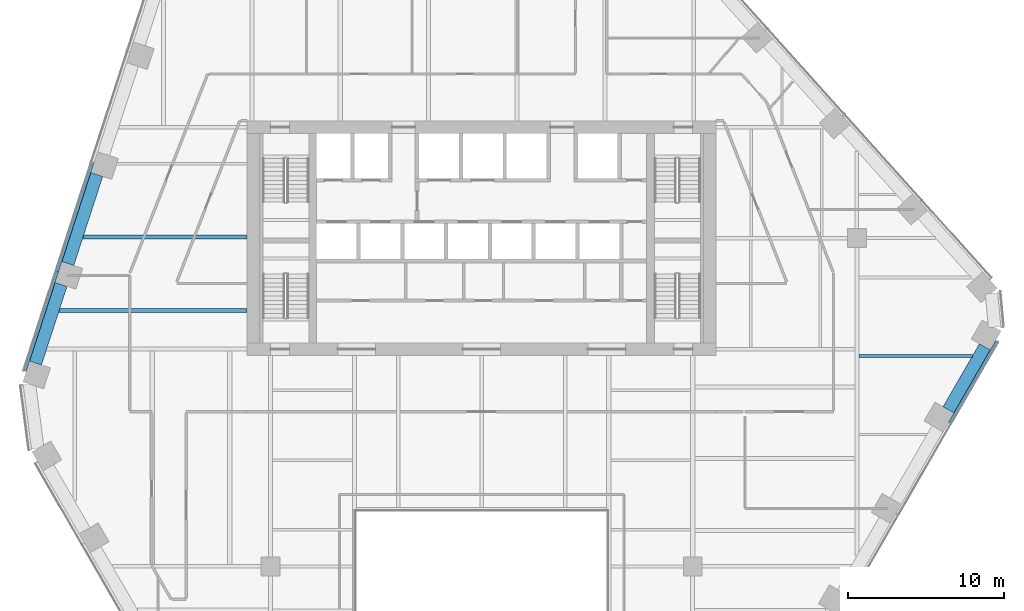
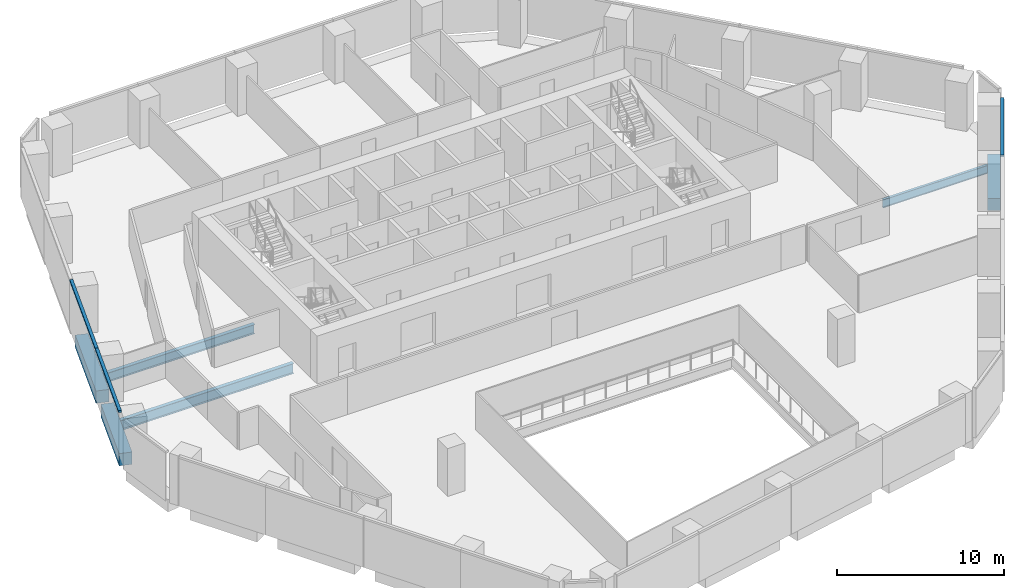
# One storey, part 6 of 16: 6 beams, 3 members, 2 elements without a shape of their own.
"""IFC4 building model written with IfcOpenShell, lengths in metres."""

from ifc_helpers import new_model, si_unit, direction, frame, origin, origin_2d, place, context, subcontext, project, spatial, rectangle, i_section, extrude, material, layer, layer_set, material_profile, profile_set, type_object, element, aggregate, save


model = new_model("IFC4")

# Units and contexts
model_context = context("Model", 3, precision=1e-05, world=origin(), true_north=direction((0.0, 1.0)))
body_context = subcontext(model_context, "Body", "Model", "MODEL_VIEW")
ifc_project = project(units=[si_unit("LENGTHUNIT", "METRE"), si_unit("AREAUNIT", "SQUARE_METRE"), si_unit("VOLUMEUNIT", "CUBIC_METRE"), si_unit("PLANEANGLEUNIT", "RADIAN"), si_unit("MASSUNIT", "GRAM", prefix="KILO")], contexts=[model_context])

# Site, building, storey
site_placement = place(None, origin())
site = spatial("IfcSite", under=ifc_project, at=site_placement, CompositionType="ELEMENT")
building_placement = place(site_placement, origin())
building = spatial("IfcBuilding", under=site, at=building_placement, Name="Isthmus Gate Tower", CompositionType="ELEMENT")
storey_placement = place(building_placement, frame((0.0, 0.0, 133.449951171875)))
storey = spatial("IfcBuildingStorey", under=building, at=storey_placement, Name="L32", CompositionType="ELEMENT", Elevation=133.449951171875)

# Curtain wall, members
ifc_material_1 = material(Name="Aluminium, pale champagne anodised", Category="aluminium")
ifc_layer = layer(ifc_material_1, 0.199951171875)
ifc_layer_set = layer_set([ifc_layer], Name="CW-1 UNITISED CURTAIN WALL 200 DEEP")
curtain_wall_type = type_object("IfcCurtainWallType", Name="CW-1 UNITISED CURTAIN WALL 200 DEEP", PredefinedType="NOTDEFINED", material=ifc_layer_set)
curtain_wall_1_placement = place(storey_placement, origin())
curtain_wall_1 = element("IfcCurtainWall", 1, at=curtain_wall_1_placement, inside=storey, type_object=curtain_wall_type, Name="CW-1 NW L32", PredefinedType="NOTDEFINED")
ifc_material_2 = material(Name="Aluminium, pale champagne anodised", Category="aluminium")
ifc_material_profile_1 = material_profile(ifc_material_2, rectangle(XDim=0.199951171875, YDim=0.139892578125, at=origin_2d()), Name="200x140")
ifc_profile_set_1 = profile_set([ifc_material_profile_1], Name="Aluminium, pale champagne anodised")
member_type = type_object("IfcMemberType", Name="CW-1 TRANSOM 200 X 140", PredefinedType="USERDEFINED", material=ifc_profile_set_1)
member_1_placement = place(storey_placement, frame((-24.896240234375, 12.33056640625, 3.580078125), z_axis=(-0.309025074527, -0.951053890857, 0.0), x_axis=(0.951053890857, -0.309025074527, 0.0)))
member_1 = element("IfcMember", 2, at=member_1_placement, type_object=member_type, Name="CW-1 transom", ObjectType="TRANSOM", PredefinedType="USERDEFINED", context=body_context, shape_type="SweptSolid", body=[
    extrude(rectangle(XDim=0.199951171875, YDim=0.139892578125, at=origin_2d()), origin(), (0.0, 0.0, 1.0), 7.330810546875),
])
member_2_placement = place(storey_placement, frame((-27.16162109375, 5.358642578125, 3.580078125), z_axis=(-0.309026665985, -0.951053373744, 0.0), x_axis=(0.951053373744, -0.309026665985, 0.0)))
member_2 = element("IfcMember", 3, at=member_2_placement, type_object=member_type, Name="CW-1 transom", ObjectType="TRANSOM", PredefinedType="USERDEFINED", context=body_context, shape_type="SweptSolid", body=[
    extrude(rectangle(XDim=0.199951171875, YDim=0.139892578125, at=origin_2d()), origin(), (0.0, 0.0, 1.0), 6.690673828125),
])
aggregate(curtain_wall_1, [member_1, member_2])

# Curtain wall, member
curtain_wall_2_placement = place(storey_placement, origin())
curtain_wall_2 = element("IfcCurtainWall", 4, at=curtain_wall_2_placement, inside=storey, type_object=curtain_wall_type, Name="CW-1 SE L32", PredefinedType="NOTDEFINED")
member_3_placement = place(storey_placement, frame((29.941162109375, -4.34033203125, 3.580078125), z_axis=(0.499997231551, 0.866027002143, 0.0), x_axis=(-0.866027002143, 0.499997231551, 0.0)))
member_3 = element("IfcMember", 5, at=member_3_placement, type_object=member_type, Name="CW-1 transom", ObjectType="TRANSOM", PredefinedType="USERDEFINED", context=body_context, shape_type="SweptSolid", body=[
    extrude(rectangle(XDim=0.199951171875, YDim=0.139892578125, at=origin_2d()), origin(), (0.0, 0.0, 1.0), 6.05029296875),
])
aggregate(curtain_wall_2, [member_3])

# Beams
ifc_material_3 = material(Name="Concrete f'c 60 MPa", Category="concrete")
ifc_material_profile_2 = material_profile(ifc_material_3, rectangle(XDim=0.800048828125, YDim=0.89990234375, at=origin_2d()), Name="RC 800X900")
ifc_profile_set_2 = profile_set([ifc_material_profile_2], Name="Concrete f'c 60 MPa")
beam_type_1 = type_object("IfcBeamType", Name="RC SPANDREL 800 X 900", PredefinedType="SPANDREL", material=ifc_profile_set_2)
beam_1_placement = place(storey_placement, frame((32.183349609375, 0.54296875, -0.449951171875), z_axis=(-0.500023913295, -0.866011596997, 0.0), x_axis=(0.866011596997, -0.500023913295, 0.0)))
element("IfcBeam", 6, at=beam_1_placement, inside=storey, type_object=beam_type_1, Name="str-spandrel-L32-06", PredefinedType="SPANDREL", context=body_context, shape_type="SweptSolid", body=[
    extrude(rectangle(XDim=0.800048828125, YDim=0.89990234375, at=origin_2d()), origin(), (0.0, 0.0, 1.0), 4.650146484375),
])
beam_2_placement = place(storey_placement, frame((-28.537353515625, -0.493408203125, -0.449951171875), z_axis=(0.309033901013, 0.951051022829, 0.0), x_axis=(-0.951051022829, 0.309033901013, 0.0)))
element("IfcBeam", 7, at=beam_2_placement, inside=storey, type_object=beam_type_1, Name="str-spandrel-L32-21", PredefinedType="SPANDREL", context=body_context, shape_type="SweptSolid", body=[
    extrude(rectangle(XDim=0.800048828125, YDim=0.89990234375, at=origin_2d()), origin(), (0.0, 0.0, 1.0), 5.290771484375),
])
beam_3_placement = place(storey_placement, frame((-26.4697265625, 5.869873046875, -0.449951171875), z_axis=(0.309029860788, 0.951052335648, 0.0), x_axis=(-0.951052335648, 0.309029860788, 0.0)))
element("IfcBeam", 8, at=beam_3_placement, inside=storey, type_object=beam_type_1, Name="str-spandrel-L32-22", PredefinedType="SPANDREL", context=body_context, shape_type="SweptSolid", body=[
    extrude(rectangle(XDim=0.800048828125, YDim=0.89990234375, at=origin_2d()), origin(), (0.0, 0.0, 1.0), 5.99072265625),
])
ifc_material_4 = material(Name="Structural steel ASTM A992 Gr 50", Category="steel")
ifc_material_profile_3 = material_profile(ifc_material_4, i_section(OverallWidth=0.177734375, OverallDepth=0.60009765625, WebThickness=0.009521484375, FlangeThickness=0.0126953125, at=origin_2d()), Name="W24X55")
ifc_profile_set_3 = profile_set([ifc_material_profile_3], Name="Structural steel ASTM A992 Gr 50")
beam_type_2 = type_object("IfcBeamType", Name="STEEL FLOOR BEAM W24X55", PredefinedType="JOIST", material=ifc_profile_set_3)
beam_4_placement = place(storey_placement, frame((24.13330078125, -0.037353515625, -0.449951171875), z_axis=(1.0, 0.0, 0.0), x_axis=(0.0, 1.0, 0.0)))
element("IfcBeam", 9, at=beam_4_placement, inside=storey, type_object=beam_type_2, Name="str-beam-L32-16-01", PredefinedType="JOIST", context=body_context, shape_type="SweptSolid", body=[
    extrude(i_section(OverallWidth=0.177734375, OverallDepth=0.60009765625, WebThickness=0.009521484375, FlangeThickness=0.0126953125, at=origin_2d()), origin(), (0.0, 0.0, 1.0), 7.2529296875),
])
ifc_material_5 = material(Name="Structural steel ASTM A992 Gr 50", Category="steel")
ifc_material_profile_4 = material_profile(ifc_material_5, i_section(OverallWidth=0.25390625, OverallDepth=0.679443359375, WebThickness=0.010986328125, FlangeThickness=0.015869140625, at=origin_2d()), Name="W27X84")
ifc_profile_set_4 = profile_set([ifc_material_profile_4], Name="Structural steel ASTM A992 Gr 50")
beam_type_3 = type_object("IfcBeamType", Name="STEEL FLOOR BEAM W27X84", PredefinedType="JOIST", material=ifc_profile_set_4)
beam_5_placement = place(storey_placement, frame((-25.498046875, 7.56591796875, -0.48974609375), z_axis=(1.0, 0.0, 0.0), x_axis=(0.0, 1.0, 0.0)))
element("IfcBeam", 10, at=beam_5_placement, inside=storey, type_object=beam_type_3, Name="str-beam-L32-01-01", PredefinedType="JOIST", context=body_context, shape_type="SweptSolid", body=[
    extrude(i_section(OverallWidth=0.25390625, OverallDepth=0.679443359375, WebThickness=0.010986328125, FlangeThickness=0.015869140625, at=origin_2d()), origin(), (0.0, 0.0, 1.0), 10.498046875),
])
ifc_material_6 = material(Name="Structural steel ASTM A992 Gr 50", Category="steel")
ifc_material_profile_5 = material_profile(ifc_material_6, i_section(OverallWidth=0.263427734375, OverallDepth=0.749267578125, WebThickness=0.0126953125, FlangeThickness=0.015869140625, at=origin_2d()), Name="W30X90")
ifc_profile_set_5 = profile_set([ifc_material_profile_5], Name="Structural steel ASTM A992 Gr 50")
beam_type_4 = type_object("IfcBeamType", Name="STEEL FLOOR BEAM W30X90", PredefinedType="JOIST", material=ifc_profile_set_5)
beam_6_placement = place(storey_placement, frame((-27.021728515625, 2.87646484375, -0.524658203125), z_axis=(1.0, 0.0, 0.0), x_axis=(0.0, 1.0, 0.0)))
element("IfcBeam", 11, at=beam_6_placement, inside=storey, type_object=beam_type_4, Name="str-beam-L32-01-00", PredefinedType="JOIST", context=body_context, shape_type="SweptSolid", body=[
    extrude(i_section(OverallWidth=0.263427734375, OverallDepth=0.749267578125, WebThickness=0.0126953125, FlangeThickness=0.015869140625, at=origin_2d()), origin(), (0.0, 0.0, 1.0), 12.021728515625),
])

save(model, "model.ifc")
